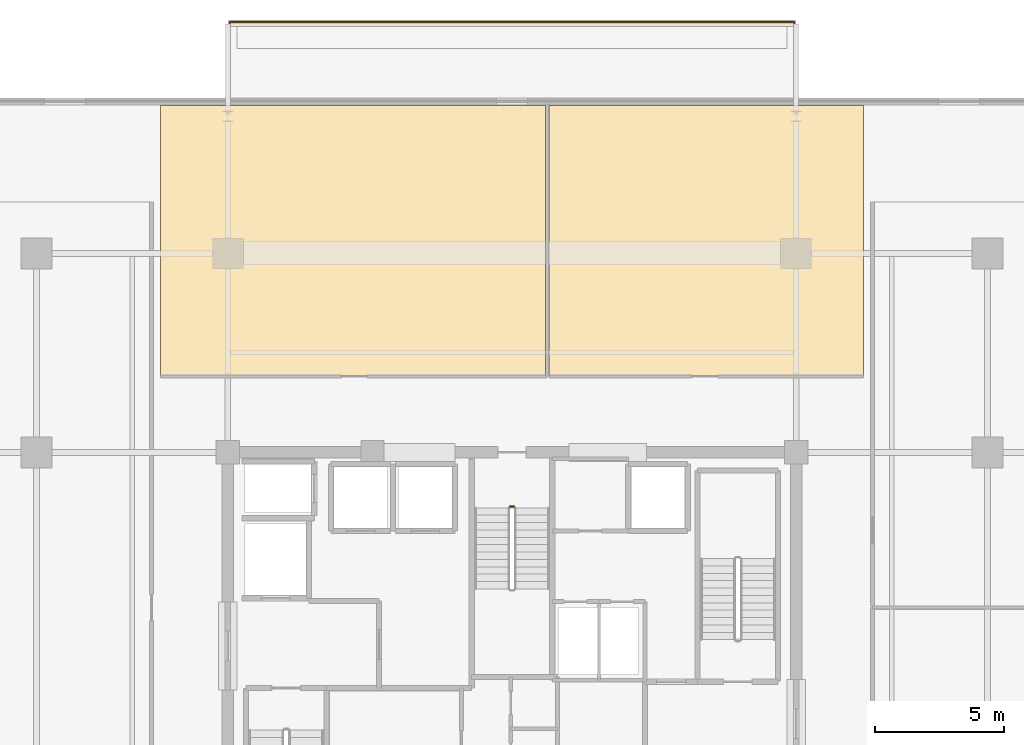
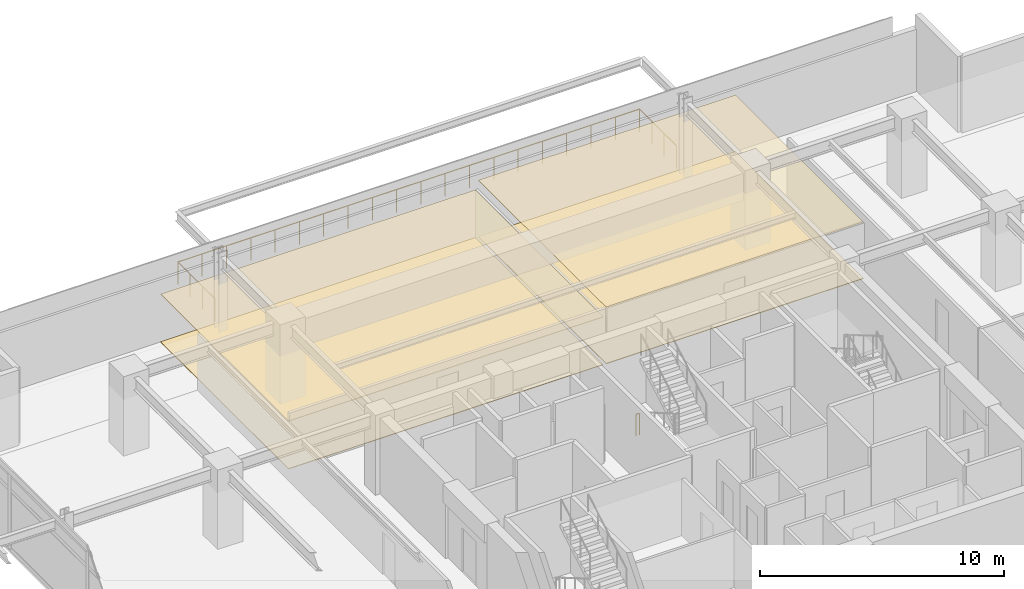
# One storey, part 22 of 23: 4 coverings, 2 railings.
"""IFC4 building model written with IfcOpenShell, lengths in metres."""

from ifc_helpers import new_model, si_unit, direction, frame, origin, origin_2d, place, context, subcontext, project, spatial, polyline, circle, outline, extrude, material, layer, layer_set, type_object, element, save


model = new_model("IFC4")

# Units and contexts
model_context = context("Model", 3, precision=1e-05, world=origin(), true_north=direction((0.0, 1.0)))
body_context = subcontext(model_context, "Body", "Model", "MODEL_VIEW")
ifc_project = project(units=[si_unit("LENGTHUNIT", "METRE"), si_unit("AREAUNIT", "SQUARE_METRE"), si_unit("VOLUMEUNIT", "CUBIC_METRE"), si_unit("PLANEANGLEUNIT", "RADIAN"), si_unit("MASSUNIT", "GRAM", prefix="KILO")], contexts=[model_context])

# Site, building, storey
site_placement = place(None, origin())
site = spatial("IfcSite", under=ifc_project, at=site_placement, CompositionType="ELEMENT")
building_placement = place(site_placement, origin())
building = spatial("IfcBuilding", under=site, at=building_placement, Name="Kovane Verandah Tower", CompositionType="ELEMENT")
storey_placement = place(building_placement, frame((0.0, 0.0, 243.199951171875)))
storey = spatial("IfcBuildingStorey", under=building, at=storey_placement, Name="L56", CompositionType="ELEMENT", Elevation=243.199951171875)

# Coverings
ifc_material_1 = material(Name="Perforated Acoustic Mineral-Fibre Ceiling Tile", Category="gypsum")
ifc_layer_1 = layer(ifc_material_1, 0.02490234375)
ifc_layer_set_1 = layer_set([ifc_layer_1], Name="Perforated Acoustic Mineral-Fibre Ceiling Tile")
covering_type_1 = type_object("IfcCoveringType", Name="CV-CEIL-25", PredefinedType="CEILING", material=ifc_layer_set_1)
covering_1_placement = place(storey_placement, frame((0.0, 0.0, 2.39013671875)))
element("IfcCovering", 1, at=covering_1_placement, inside=storey, type_object=covering_type_1, Name="L56 Meeting Room N1 Acoustic Ceiling", PredefinedType="CEILING", context=body_context, shape_type="SweptSolid", body=[
    extrude(outline(polyline([(26.39990234375, 39.449951171875), (41.2900390625, 39.449951171875), (41.2900390625, 49.929931640625), (26.39990234375, 49.929931640625), (26.39990234375, 39.449951171875)])), origin(), (0.0, 0.0, 1.0), 0.02490234375),
])
covering_2_placement = place(storey_placement, frame((0.0, 0.0, 2.824951171875)))
element("IfcCovering", 2, at=covering_2_placement, inside=storey, type_object=covering_type_1, Name="L56 Focus Studio N2 Acoustic Ceiling", PredefinedType="CEILING", context=body_context, shape_type="SweptSolid", body=[
    extrude(outline(polyline([(41.429931640625, 39.449951171875), (53.60009765625, 39.449951171875), (53.60009765625, 49.929931640625), (41.429931640625, 49.929931640625), (41.429931640625, 39.449951171875)])), origin(), (0.0, 0.0, 1.0), 0.025146484375),
])
ifc_material_2 = material(Name="Polished Terrazzo and Raised-Access Carpet Tile Finish", Category="concrete")
ifc_layer_2 = layer(ifc_material_2, 0.030029296875)
ifc_layer_set_2 = layer_set([ifc_layer_2], Name="Polished Terrazzo and Raised-Access Carpet Tile Finish")
covering_type_2 = type_object("IfcCoveringType", Name="CV-FLOR-30", PredefinedType="FLOORING", material=ifc_layer_set_2)
covering_3_placement = place(storey_placement, origin())
element("IfcCovering", 3, at=covering_3_placement, inside=storey, type_object=covering_type_2, Name="L56 Meeting Room N1 Floor Finish", PredefinedType="FLOORING", context=body_context, shape_type="SweptSolid", body=[
    extrude(outline(polyline([(26.39990234375, 39.449951171875), (41.2900390625, 39.449951171875), (41.2900390625, 49.929931640625), (26.39990234375, 49.929931640625), (26.39990234375, 39.449951171875)])), origin(), (0.0, 0.0, 1.0), 0.030029296875),
])
covering_4_placement = place(storey_placement, origin())
element("IfcCovering", 4, at=covering_4_placement, inside=storey, type_object=covering_type_2, Name="L56 Focus Studio N2 Floor Finish", PredefinedType="FLOORING", context=body_context, shape_type="SweptSolid", body=[
    extrude(outline(polyline([(41.429931640625, 39.449951171875), (53.60009765625, 39.449951171875), (53.60009765625, 49.929931640625), (41.429931640625, 49.929931640625), (41.429931640625, 39.449951171875)])), origin(), (0.0, 0.0, 1.0), 0.030029296875),
])

# Railings
ifc_material_3 = material(Name="Laminated Glass and Pale-Champagne Stainless Balustrade", Category="glass")
railing_type_1 = type_object("IfcRailingType", Name="RL-BAL-1150", PredefinedType="BALUSTRADE", material=ifc_material_3)
railing_1_placement = place(storey_placement, frame((29.080078125, 50.1298828125, 0.0)))
element("IfcRailing", 5, at=railing_1_placement, inside=storey, type_object=railing_type_1, Name="L56 N Verandah Glass Balustrade", PredefinedType="BALUSTRADE", context=body_context, shape_type="SweptSolid", body=[
    extrude(circle(Radius=0.02392578125, at=origin_2d()), frame((0.0, 0.0, 1.1259765625), z_axis=(0.0, 1.0, 0.0), x_axis=(-1.0, 0.0, 0.0)), (0.0, 0.0, 1.0), 3.02001953125),
    extrude(circle(Radius=0.02392578125, at=origin_2d()), frame((0.0, 3.02001953125, 1.1259765625), z_axis=(1.0, 0.0, 0.0), x_axis=(0.0, 1.0, 0.0)), (0.0, 0.0, 1.0), 21.83984375),
    extrude(circle(Radius=0.02392578125, at=origin_2d()), frame((21.83984375, 3.02001953125, 1.1259765625), z_axis=(0.0, -1.0, 0.0), x_axis=(1.0, 0.0, 0.0)), (0.0, 0.0, 1.0), 3.02001953125),
    extrude(circle(Radius=0.02099609375, at=origin_2d()), origin(), (0.0, 0.0, 1.0), 1.101806640625),
    extrude(circle(Radius=0.02099609375, at=origin_2d()), frame((0.0, 1.006591796875, 0.0)), (0.0, 0.0, 1.0), 1.101806640625),
    extrude(circle(Radius=0.02099609375, at=origin_2d()), frame((0.0, 2.013427734375, 0.0)), (0.0, 0.0, 1.0), 1.101806640625),
    extrude(circle(Radius=0.02099609375, at=origin_2d()), frame((0.0, 3.02001953125, 0.0)), (0.0, 0.0, 1.0), 1.101806640625),
    extrude(circle(Radius=0.02099609375, at=origin_2d()), frame((1.1494140625, 3.02001953125, 0.0)), (0.0, 0.0, 1.0), 1.101806640625),
    extrude(circle(Radius=0.02099609375, at=origin_2d()), frame((2.298828125, 3.02001953125, 0.0)), (0.0, 0.0, 1.0), 1.101806640625),
    extrude(circle(Radius=0.02099609375, at=origin_2d()), frame((3.448486328125, 3.02001953125, 0.0)), (0.0, 0.0, 1.0), 1.101806640625),
    extrude(circle(Radius=0.02099609375, at=origin_2d()), frame((4.597900390625, 3.02001953125, 0.0)), (0.0, 0.0, 1.0), 1.101806640625),
    extrude(circle(Radius=0.02099609375, at=origin_2d()), frame((5.747314453125, 3.02001953125, 0.0)), (0.0, 0.0, 1.0), 1.101806640625),
    extrude(circle(Radius=0.02099609375, at=origin_2d()), frame((6.896728515625, 3.02001953125, 0.0)), (0.0, 0.0, 1.0), 1.101806640625),
    extrude(circle(Radius=0.02099609375, at=origin_2d()), frame((8.046142578125, 3.02001953125, 0.0)), (0.0, 0.0, 1.0), 1.101806640625),
    extrude(circle(Radius=0.02099609375, at=origin_2d()), frame((9.19580078125, 3.02001953125, 0.0)), (0.0, 0.0, 1.0), 1.101806640625),
    extrude(circle(Radius=0.02099609375, at=origin_2d()), frame((10.34521484375, 3.02001953125, 0.0)), (0.0, 0.0, 1.0), 1.101806640625),
    extrude(circle(Radius=0.02099609375, at=origin_2d()), frame((11.49462890625, 3.02001953125, 0.0)), (0.0, 0.0, 1.0), 1.101806640625),
    extrude(circle(Radius=0.02099609375, at=origin_2d()), frame((12.64404296875, 3.02001953125, 0.0)), (0.0, 0.0, 1.0), 1.101806640625),
    extrude(circle(Radius=0.02099609375, at=origin_2d()), frame((13.793701171875, 3.02001953125, 0.0)), (0.0, 0.0, 1.0), 1.101806640625),
    extrude(circle(Radius=0.02099609375, at=origin_2d()), frame((14.943115234375, 3.02001953125, 0.0)), (0.0, 0.0, 1.0), 1.101806640625),
    extrude(circle(Radius=0.02099609375, at=origin_2d()), frame((16.092529296875, 3.02001953125, 0.0)), (0.0, 0.0, 1.0), 1.101806640625),
    extrude(circle(Radius=0.02099609375, at=origin_2d()), frame((17.241943359375, 3.02001953125, 0.0)), (0.0, 0.0, 1.0), 1.101806640625),
    extrude(circle(Radius=0.02099609375, at=origin_2d()), frame((18.391357421875, 3.02001953125, 0.0)), (0.0, 0.0, 1.0), 1.101806640625),
    extrude(circle(Radius=0.02099609375, at=origin_2d()), frame((19.541015625, 3.02001953125, 0.0)), (0.0, 0.0, 1.0), 1.101806640625),
    extrude(circle(Radius=0.02099609375, at=origin_2d()), frame((20.6904296875, 3.02001953125, 0.0)), (0.0, 0.0, 1.0), 1.101806640625),
    extrude(circle(Radius=0.02099609375, at=origin_2d()), frame((21.83984375, 3.02001953125, 0.0)), (0.0, 0.0, 1.0), 1.101806640625),
    extrude(circle(Radius=0.02099609375, at=origin_2d()), frame((21.83984375, 2.013427734375, 0.0)), (0.0, 0.0, 1.0), 1.101806640625),
    extrude(circle(Radius=0.02099609375, at=origin_2d()), frame((21.83984375, 1.006591796875, 0.0)), (0.0, 0.0, 1.0), 1.101806640625),
    extrude(circle(Radius=0.02099609375, at=origin_2d()), frame((21.83984375, 0.0, 0.0)), (0.0, 0.0, 1.0), 1.101806640625),
])
ifc_material_4 = material(Name="Painted Steel Stairwell Guardrail", Category="steel")
railing_type_2 = type_object("IfcRailingType", Name="RL-STGUARD-1120", PredefinedType="GUARDRAIL", material=ifc_material_4)
railing_2_placement = place(storey_placement, frame((39.919921875, 34.39990234375, 0.0)))
element("IfcRailing", 6, at=railing_2_placement, inside=storey, type_object=railing_type_2, Name="L56 ST-03 stair guard 4", PredefinedType="GUARDRAIL", context=body_context, shape_type="SweptSolid", body=[
    extrude(circle(Radius=0.02392578125, at=origin_2d()), frame((0.0, 0.0, 1.076171875), z_axis=(1.0, 0.0, 0.0), x_axis=(0.0, 1.0, 0.0)), (0.0, 0.0, 1.0), 0.16015625),
    extrude(circle(Radius=0.02099609375, at=origin_2d()), origin(), (0.0, 0.0, 1.0), 1.052001953125),
    extrude(circle(Radius=0.02099609375, at=origin_2d()), frame((0.16015625, 0.0, 0.0)), (0.0, 0.0, 1.0), 1.052001953125),
])

save(model, "model.ifc")
